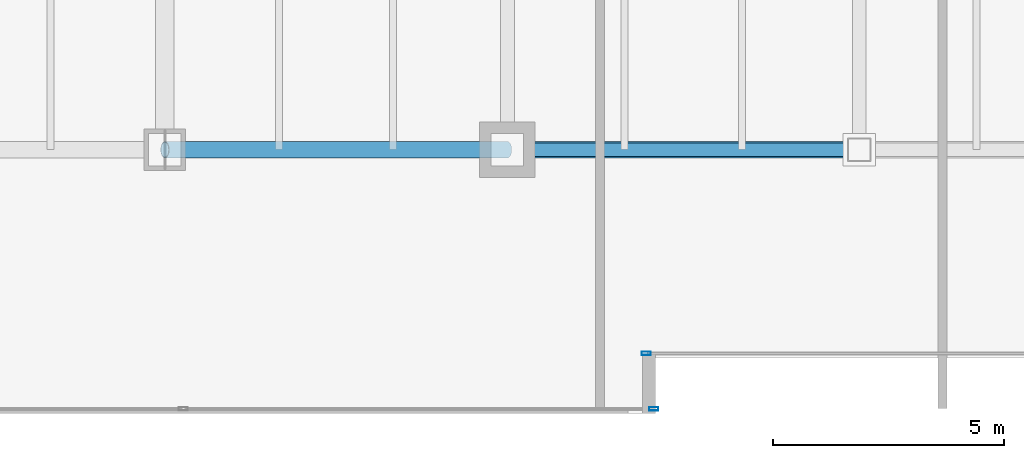
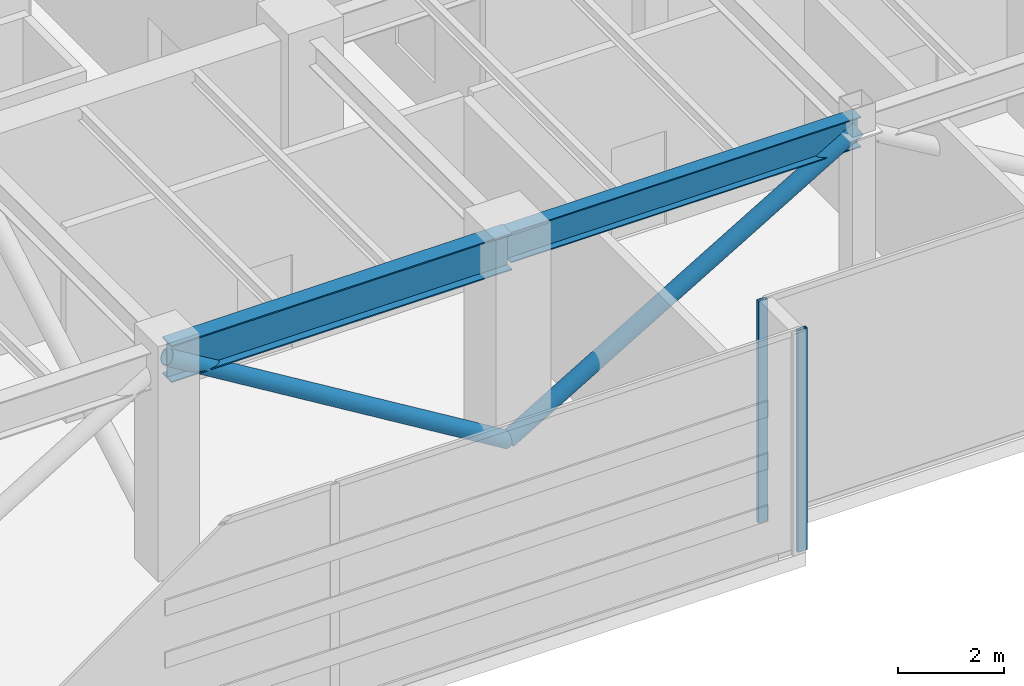
# One storey, part 4 of 34: 4 members, 2 beams, 2 elements without a shape of their own.
"""IFC4 building model written with IfcOpenShell, lengths in metres."""

from ifc_helpers import new_model, si_unit, direction, frame, origin, origin_2d, place, context, subcontext, project, spatial, hollow_rectangle, hollow_circle, i_section, extrude, source, transform, mapped, material, layer, layer_set, material_profile, profile_set, type_object, type_shapes, element, aggregate, save


model = new_model("IFC4")

# Units and contexts
model_context = context("Model", 3, precision=1e-05, world=origin(), true_north=direction((0.0, 1.0)))
body_context = subcontext(model_context, "Body", "Model", "MODEL_VIEW")
ifc_project = project(units=[si_unit("LENGTHUNIT", "METRE"), si_unit("AREAUNIT", "SQUARE_METRE"), si_unit("VOLUMEUNIT", "CUBIC_METRE"), si_unit("PLANEANGLEUNIT", "RADIAN"), si_unit("MASSUNIT", "GRAM", prefix="KILO")], contexts=[model_context])

# Site, building, storey
site_placement = place(None, origin())
site = spatial("IfcSite", under=ifc_project, at=site_placement, CompositionType="ELEMENT")
building_placement = place(site_placement, origin())
building = spatial("IfcBuilding", under=site, at=building_placement, Name="Haelvirn Gate Laboratories", CompositionType="ELEMENT")
storey_placement = place(building_placement, frame((0.0, 0.0, 191.199951171875)))
storey = spatial("IfcBuildingStorey", under=building, at=storey_placement, Name="L46", CompositionType="ELEMENT", Elevation=191.199951171875)

# Beams
ifc_material_1 = material(Name="Steel SM420", Category="steel")
ifc_material_profile_1 = material_profile(ifc_material_1, i_section(OverallWidth=0.35009765625, OverallDepth=0.85009765625, WebThickness=0.01611328125, FlangeThickness=0.028076171875, at=origin_2d()), Name="H-850x350x16x28")
ifc_profile_set_1 = profile_set([ifc_material_profile_1], Name="Steel SM420")
beam_type_1 = type_object("IfcBeamType", Name="BM-AG-850", PredefinedType="BEAM", material=ifc_profile_set_1)
shared_shape_1 = source(origin(), body_context, "Body", "SweptSolid", [
    extrude(i_section(OverallWidth=0.35009765625, OverallDepth=0.85009765625, WebThickness=0.01611328125, FlangeThickness=0.028076171875, at=origin_2d()), origin(), (0.0, 0.0, 1.0), 7.39990234375),
])
type_shapes(beam_type_1, [shared_shape_1])
beam_1_placement = place(storey_placement, frame((14.800048828125, 7.0, 4.675048828125), z_axis=(1.0, 0.0, 0.0), x_axis=(0.0, 1.0, 0.0)))
element("IfcBeam", 1, at=beam_1_placement, inside=storey, type_object=beam_type_1, Name="L46 Primary Girder Y7.0 (14.8-22.2)", PredefinedType="BEAM", context=body_context, shape_type="MappedRepresentation", body=[
    mapped(shared_shape_1, transform((0.0, 0.0, 0.0), scale=1.0)),
])
ifc_material_2 = material(Name="Steel SM355", Category="steel")
ifc_material_profile_2 = material_profile(ifc_material_2, i_section(OverallWidth=0.300048828125, OverallDepth=0.699951171875, WebThickness=0.012939453125, FlangeThickness=0.02392578125, at=origin_2d()), Name="H-700x300x13x24")
ifc_profile_set_2 = profile_set([ifc_material_profile_2], Name="Steel SM355")
beam_type_2 = type_object("IfcBeamType", Name="BM-G-700", PredefinedType="BEAM", material=ifc_profile_set_2)
shared_shape_2 = source(origin(), body_context, "Body", "SweptSolid", [
    extrude(i_section(OverallWidth=0.300048828125, OverallDepth=0.699951171875, WebThickness=0.012939453125, FlangeThickness=0.02392578125, at=origin_2d()), origin(), (0.0, 0.0, 1.0), 7.60009765625),
])
type_shapes(beam_type_2, [shared_shape_2])
beam_2_placement = place(storey_placement, frame((22.199951171875, 7.0, 4.75), z_axis=(1.0, 0.0, 0.0), x_axis=(0.0, 1.0, 0.0)))
element("IfcBeam", 2, at=beam_2_placement, inside=storey, type_object=beam_type_2, Name="L46 Primary Girder Y7.0 (22.2-29.8)", PredefinedType="BEAM", context=body_context, shape_type="MappedRepresentation", body=[
    mapped(shared_shape_2, transform((0.0, 0.0, 0.0), scale=1.0)),
])

# Members
ifc_material_profile_3 = material_profile(ifc_material_2, hollow_circle(Radius=0.177734375, WallThickness=0.013916015625, at=origin_2d()), Name="CHS-355x14")
ifc_profile_set_3 = profile_set([ifc_material_profile_3], Name="Steel SM355")
member_type_1 = type_object("IfcMemberType", Name="MEM-BELT-1", PredefinedType="STRUT", material=ifc_profile_set_3)
shared_shape_3 = source(origin(), body_context, "Body", "SweptSolid", [
    extrude(hollow_circle(Radius=0.177734375, WallThickness=0.013916015625, at=origin_2d()), origin(), (0.0, 0.0, 1.0), 8.66064453125),
])
member_1_placement = place(storey_placement, frame((14.800048828125, 7.0, 4.75), z_axis=(0.854418394814, 0.0, -0.519585610466), x_axis=(0.0, 1.0, 0.0)))
element("IfcMember", 3, at=member_1_placement, inside=storey, type_object=member_type_1, Name="L46 Perimeter Belt Truss S2", PredefinedType="STRUT", context=body_context, shape_type="MappedRepresentation", body=[
    mapped(shared_shape_3, transform((0.0, 0.0, 0.0), scale=1.0)),
])
shared_shape_4 = source(origin(), body_context, "Body", "SweptSolid", [
    extrude(hollow_circle(Radius=0.177734375, WallThickness=0.013916015625, at=origin_2d()), origin(), (0.0, 0.0, 1.0), 8.83251953125),
])
type_shapes(member_type_1, [shared_shape_3, shared_shape_4])
member_2_placement = place(storey_placement, frame((22.199951171875, 7.0, 0.25), z_axis=(0.860478259115, 0.0, 0.509487159397), x_axis=(0.0, 1.0, 0.0)))
element("IfcMember", 4, at=member_2_placement, inside=storey, type_object=member_type_1, Name="L46 Perimeter Belt Truss S3", PredefinedType="STRUT", context=body_context, shape_type="MappedRepresentation", body=[
    mapped(shared_shape_4, transform((0.0, 0.0, 0.0), scale=1.0)),
])

# Curtain wall, member
ifc_material_3 = material(Name="Anodised bronze unitised aluminium & triple low-E glass", Category="aluminium")
ifc_layer = layer(ifc_material_3, 0.179931640625, Name="CW-SYS-3")
ifc_layer_set = layer_set([ifc_layer], Name="Anodised bronze unitised aluminium & triple low-E glass")
curtain_wall_type = type_object("IfcCurtainWallType", Name="CW-SYS-3", PredefinedType="NOTDEFINED", material=ifc_layer_set)
curtain_wall_1_placement = place(storey_placement, origin())
curtain_wall_1 = element("IfcCurtainWall", 5, at=curtain_wall_1_placement, inside=storey, type_object=curtain_wall_type, Name="L46 Unitised Curtain Wall CW-L46-P0-E00-1", PredefinedType="NOTDEFINED")
ifc_material_4 = material(Name="Extruded aluminium 6063-T6 (anodised bronze)", Category="aluminium")
ifc_material_profile_4 = material_profile(ifc_material_4, hollow_rectangle(XDim=0.074951171875, YDim=0.199951171875, WallThickness=0.0048828125, at=origin_2d()), Name="CWM-200x75x5")
ifc_profile_set_4 = profile_set([ifc_material_profile_4], Name="Extruded aluminium 6063-T6 (anodised bronze)")
member_type_2 = type_object("IfcMemberType", Name="CWM-T200", PredefinedType="MULLION", material=ifc_profile_set_4)
shared_shape_5 = source(origin(), body_context, "Body", "SweptSolid", [
    extrude(hollow_rectangle(XDim=0.074951171875, YDim=0.199951171875, WallThickness=0.0048828125, at=origin_2d()), origin(), (0.0, 0.0, 1.0), 5.10009765625),
])
type_shapes(member_type_2, [shared_shape_5])
member_3_placement = place(storey_placement, frame((25.362548828125, 1.39990234375, 0.0), z_axis=(0.0, 0.0, 1.0), x_axis=(0.0, 1.0, 0.0)))
member_3 = element("IfcMember", 6, at=member_3_placement, type_object=member_type_2, Name="CW3 mullion 3", PredefinedType="MULLION", context=body_context, shape_type="MappedRepresentation", body=[
    mapped(shared_shape_5, transform((0.0, 0.0, 0.0), scale=1.0)),
])
aggregate(curtain_wall_1, [member_3])

curtain_wall_2_placement = place(storey_placement, origin())
curtain_wall_2 = element("IfcCurtainWall", 7, at=curtain_wall_2_placement, inside=storey, type_object=curtain_wall_type, Name="L46 Unitised Curtain Wall CW-L46-P0-E02-1", PredefinedType="NOTDEFINED")
member_4_placement = place(storey_placement, frame((25.197509765625, 2.60009765625, 0.0), z_axis=(0.0, 0.0, 1.0), x_axis=(0.0, 1.0, 0.0)))
member_4 = element("IfcMember", 8, at=member_4_placement, type_object=member_type_2, Name="CW3 mullion 1", PredefinedType="MULLION", context=body_context, shape_type="MappedRepresentation", body=[
    mapped(shared_shape_5, transform((0.0, 0.0, 0.0), scale=1.0)),
])
aggregate(curtain_wall_2, [member_4])

save(model, "model.ifc")
